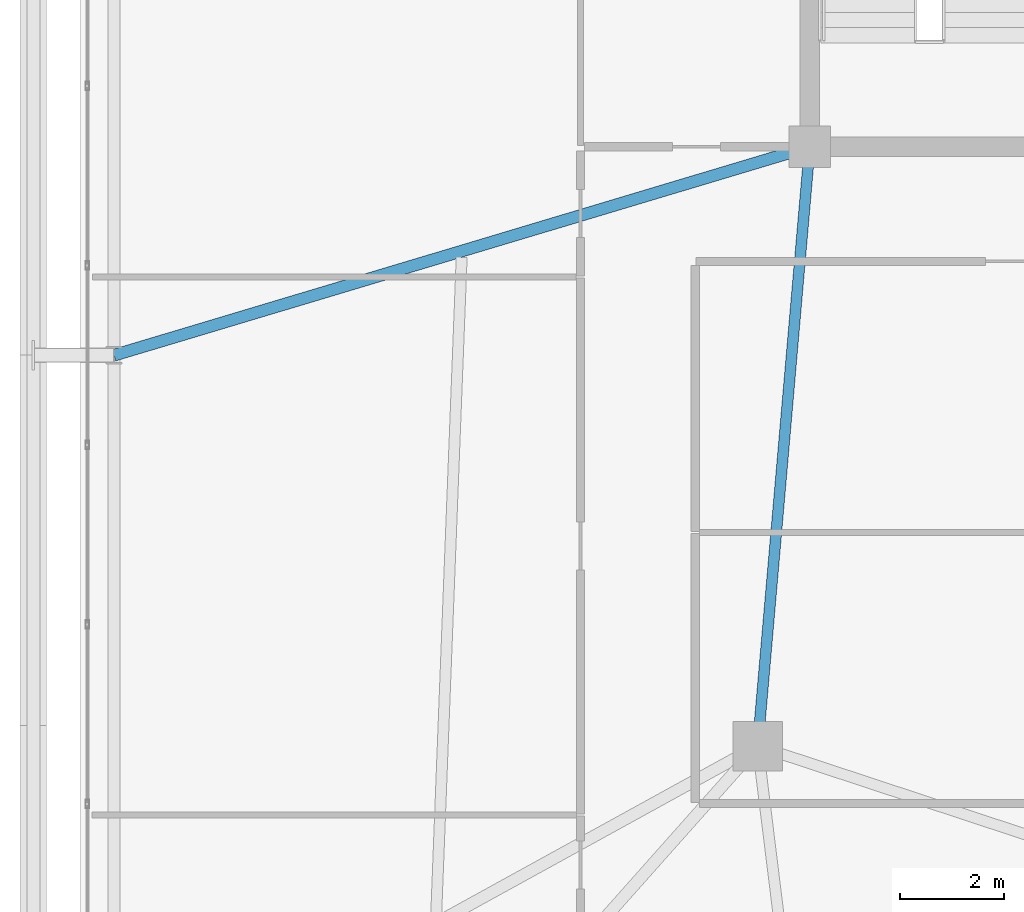
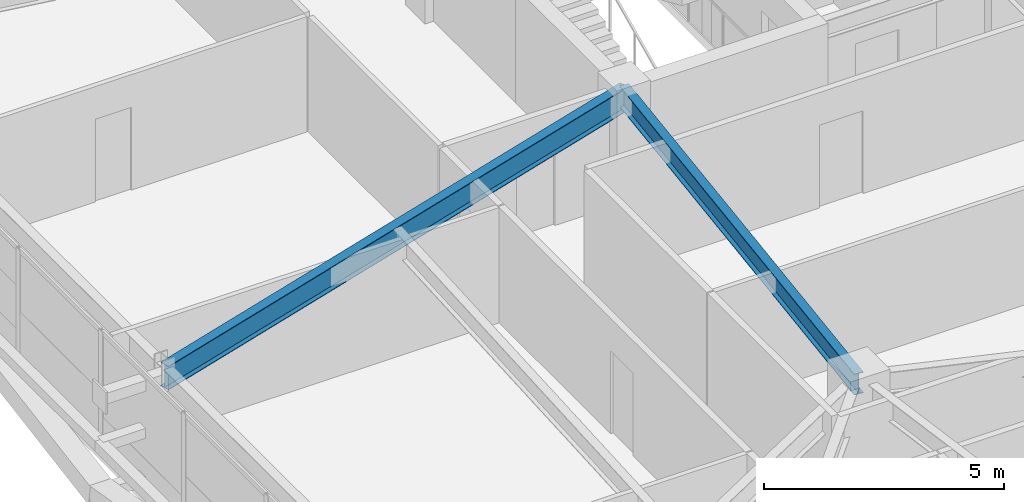
# One storey, part 15 of 59: 2 beams.
"""IFC4 building model written with IfcOpenShell, lengths in metres."""

from ifc_helpers import new_model, si_unit, direction, frame, origin, origin_2d, place, context, subcontext, project, spatial, i_section, extrude, source, transform, mapped, material, material_profile, profile_set, type_object, element, save


model = new_model("IFC4")

# Units and contexts
model_context = context("Model", 3, precision=1e-05, world=origin(), true_north=direction((0.0, 1.0)))
body_context = subcontext(model_context, "Body", "Model", "MODEL_VIEW")
ifc_project = project(units=[si_unit("LENGTHUNIT", "METRE"), si_unit("AREAUNIT", "SQUARE_METRE"), si_unit("VOLUMEUNIT", "CUBIC_METRE"), si_unit("PLANEANGLEUNIT", "RADIAN"), si_unit("MASSUNIT", "GRAM", prefix="KILO")], contexts=[model_context])

# Site, building, storey
site_placement = place(None, origin())
site = spatial("IfcSite", under=ifc_project, at=site_placement, CompositionType="ELEMENT")
building_placement = place(site_placement, origin())
building = spatial("IfcBuilding", under=site, at=building_placement, Name="Taldren Reach Tower", CompositionType="ELEMENT")
storey_placement = place(building_placement, frame((0.0, 0.0, 26.25)))
storey = spatial("IfcBuildingStorey", under=building, at=storey_placement, Name="L07", CompositionType="ELEMENT", Elevation=26.25)

# Beams
ifc_material = material(Name="Steel Gr 350 (350PLUS)", Category="steel")
ifc_material_profile_1 = material_profile(ifc_material, i_section(OverallWidth=0.208984375, OverallDepth=0.532958984375, WebThickness=0.01025390625, FlangeThickness=0.015625, at=origin_2d()), Name="530UB92.4")
ifc_profile_set_1 = profile_set([ifc_material_profile_1], Name="Steel Gr 350 (350PLUS)")
beam_type_1 = type_object("IfcBeamType", Name="BM-UB530A", PredefinedType="BEAM", material=ifc_profile_set_1)
shared_shape_1 = source(origin(), body_context, "Body", "SweptSolid", [
    extrude(i_section(OverallWidth=0.208984375, OverallDepth=0.532958984375, WebThickness=0.01025390625, FlangeThickness=0.015625, at=origin_2d()), origin(), (0.0, 0.0, 1.0), 11.54345703125),
])
beam_1_placement = place(storey_placement, frame((19.0, 24.0, 2.66357421875), z_axis=(-0.086629616365, -0.996240588196, 0.0), x_axis=(0.996240588196, -0.086629616365, 0.0)))
element("IfcBeam", 1, at=beam_1_placement, inside=storey, type_object=beam_type_1, Name="Core-spine girder L07-SP09", PredefinedType="BEAM", context=body_context, shape_type="MappedRepresentation", body=[
    mapped(shared_shape_1, transform((0.0, 0.0, 0.0), scale=1.0)),
])
ifc_material_profile_2 = material_profile(ifc_material, i_section(OverallWidth=0.22802734375, OverallDepth=0.60205078125, WebThickness=0.010498046875, FlangeThickness=0.014892578125, at=origin_2d()), Name="610UB101")
ifc_profile_set_2 = profile_set([ifc_material_profile_2], Name="Steel Gr 350 (350PLUS)")
beam_type_2 = type_object("IfcBeamType", Name="BM-UB610B", PredefinedType="BEAM", material=ifc_profile_set_2)
shared_shape_2 = source(origin(), body_context, "Body", "SweptSolid", [
    extrude(i_section(OverallWidth=0.22802734375, OverallDepth=0.60205078125, WebThickness=0.010498046875, FlangeThickness=0.014892578125, at=origin_2d()), origin(), (0.0, 0.0, 1.0), 13.9365234375),
])
beam_2_placement = place(storey_placement, frame((19.0, 24.0, 2.62890625), z_axis=(-0.957925550891, -0.287016792104, 0.0), x_axis=(0.287016792104, -0.957925550891, 0.0)))
element("IfcBeam", 2, at=beam_2_placement, inside=storey, type_object=beam_type_2, Name="Primary floor girder B1-W2 L07", PredefinedType="BEAM", context=body_context, shape_type="MappedRepresentation", body=[
    mapped(shared_shape_2, transform((0.0, 0.0, 0.0), scale=1.0)),
])

save(model, "model.ifc")
